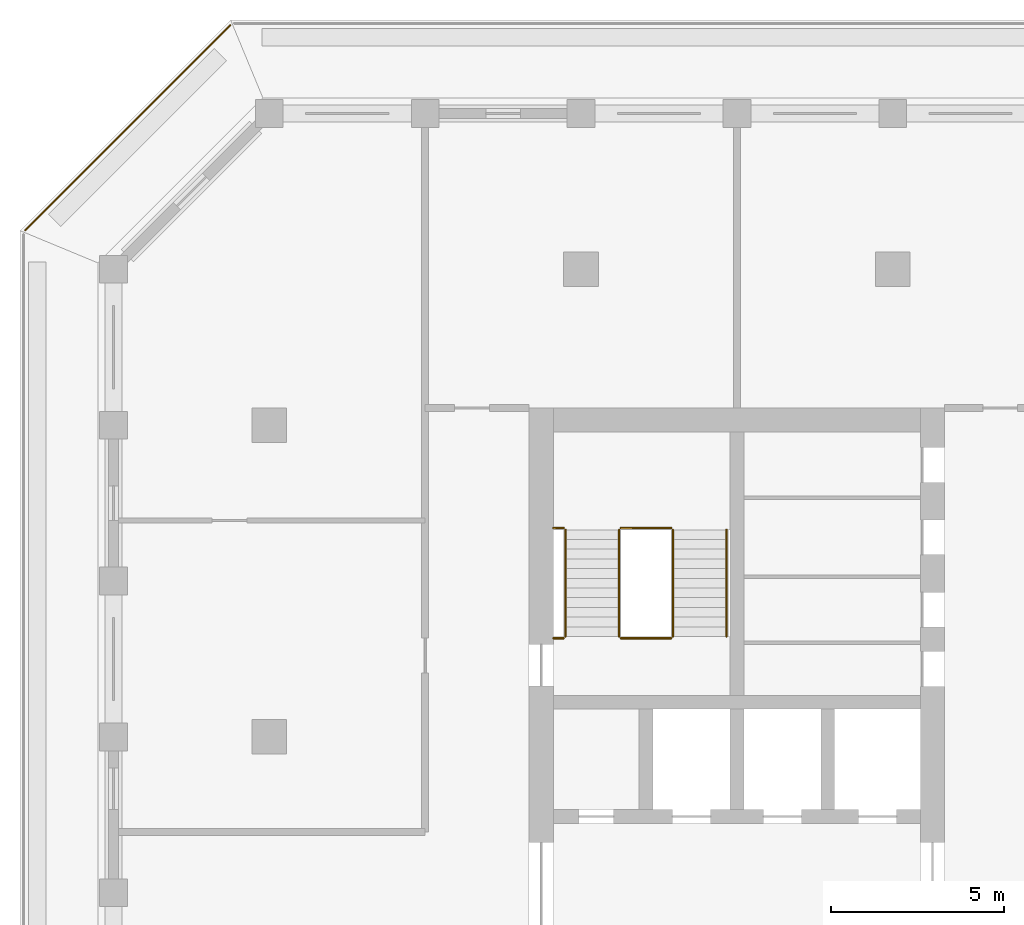
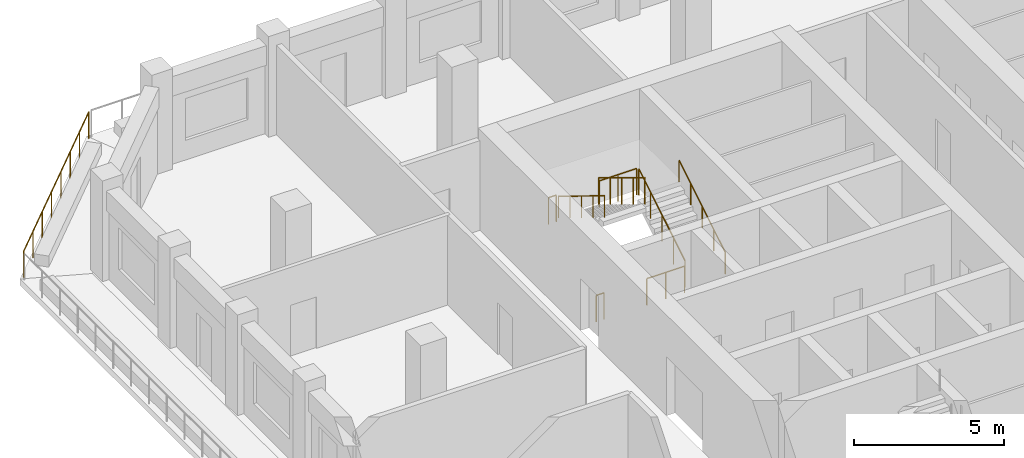
# One storey, part 11 of 14: 9 railings.
"""IFC4 building model written with IfcOpenShell, lengths in metres."""

from ifc_helpers import new_model, si_unit, direction, frame, origin, origin_2d, place, context, subcontext, project, spatial, circle, extrude, material, type_object, element, save


model = new_model("IFC4")

# Units and contexts
model_context = context("Model", 3, precision=1e-05, world=origin(), true_north=direction((0.0, 1.0)))
body_context = subcontext(model_context, "Body", "Model", "MODEL_VIEW")
ifc_project = project(units=[si_unit("LENGTHUNIT", "METRE"), si_unit("AREAUNIT", "SQUARE_METRE"), si_unit("VOLUMEUNIT", "CUBIC_METRE"), si_unit("PLANEANGLEUNIT", "RADIAN"), si_unit("MASSUNIT", "GRAM", prefix="KILO")], contexts=[model_context])

# Site, building, storey
site_placement = place(None, origin())
site = spatial("IfcSite", under=ifc_project, at=site_placement, CompositionType="ELEMENT")
building_placement = place(site_placement, origin())
building = spatial("IfcBuilding", under=site, at=building_placement, Name="Corbel Stack Research Tower", CompositionType="ELEMENT")
storey_placement = place(building_placement, frame((0.0, 0.0, 278.60009765625)))
storey = spatial("IfcBuildingStorey", under=building, at=storey_placement, Name="L63", CompositionType="ELEMENT", Elevation=278.60009765625)

# Railings
ifc_material_1 = material(Name="Steel S355", Category="steel")
railing_type_1 = type_object("IfcRailingType", Name="Stair guard 1100", PredefinedType="GUARDRAIL", material=ifc_material_1)
railing_1_placement = place(storey_placement, frame((-6.35009765625, 11.89990234375, 0.170654296875)))
element("IfcRailing", 1, at=railing_1_placement, inside=storey, type_object=railing_type_1, Name="L63 ST-W2 stair guard 1", PredefinedType="GUARDRAIL", context=body_context, shape_type="SweptSolid", body=[
    extrude(circle(Radius=0.02392578125, at=origin_2d()), frame((0.0, 0.0, 1.076171875), z_axis=(0.0, 0.853666305674, 0.52082035152), x_axis=(-1.0, 0.0, 0.0)), (0.0, 0.0, 1.0), 3.608154296875),
    extrude(circle(Radius=0.02099609375, at=origin_2d()), origin(), (0.0, 0.0, 1.0), 1.052001953125),
    extrude(circle(Radius=0.02099609375, at=origin_2d()), frame((0.0, 0.77001953125, 0.4697265625)), (0.0, 0.0, 1.0), 1.052001953125),
    extrude(circle(Radius=0.02099609375, at=origin_2d()), frame((0.0, 1.5400390625, 0.939453125)), (0.0, 0.0, 1.0), 1.052001953125),
    extrude(circle(Radius=0.02099609375, at=origin_2d()), frame((0.0, 2.31005859375, 1.409423828125)), (0.0, 0.0, 1.0), 1.052001953125),
    extrude(circle(Radius=0.02099609375, at=origin_2d()), frame((0.0, 3.080078125, 1.879150390625)), (0.0, 0.0, 1.0), 1.052001953125),
])
railing_2_placement = place(storey_placement, frame((-6.39990234375, 15.030029296875, 2.0498046875)))
element("IfcRailing", 2, at=railing_2_placement, inside=storey, type_object=railing_type_1, Name="L63 ST-W2 stair guard 2", PredefinedType="GUARDRAIL", context=body_context, shape_type="SweptSolid", body=[
    extrude(circle(Radius=0.02392578125, at=origin_2d()), frame((0.0, 0.0, 1.076171875), z_axis=(-1.0, 0.0, 0.0), x_axis=(0.0, -1.0, 0.0)), (0.0, 0.0, 1.0), 1.4501953125),
    extrude(circle(Radius=0.02099609375, at=origin_2d()), origin(), (0.0, 0.0, 1.0), 1.052001953125),
    extrude(circle(Radius=0.02099609375, at=origin_2d()), frame((-0.72509765625, 0.0, 0.0)), (0.0, 0.0, 1.0), 1.052001953125),
    extrude(circle(Radius=0.02099609375, at=origin_2d()), frame((-1.4501953125, 0.0, 0.0)), (0.0, 0.0, 1.0), 1.052001953125),
])
railing_3_placement = place(storey_placement, frame((-9.5, 15.030029296875, 2.0498046875)))
element("IfcRailing", 3, at=railing_3_placement, inside=storey, type_object=railing_type_1, Name="L63 ST-W2 stair guard 3", PredefinedType="GUARDRAIL", context=body_context, shape_type="SweptSolid", body=[
    extrude(circle(Radius=0.02392578125, at=origin_2d()), frame((0.0, 0.0, 1.076171875), z_axis=(-1.0, 0.0, 0.0), x_axis=(0.0, -1.0, 0.0)), (0.0, 0.0, 1.0), 0.300048828125),
    extrude(circle(Radius=0.02099609375, at=origin_2d()), origin(), (0.0, 0.0, 1.0), 1.052001953125),
    extrude(circle(Radius=0.02099609375, at=origin_2d()), frame((-0.300048828125, 0.0, 0.0)), (0.0, 0.0, 1.0), 1.052001953125),
])
railing_4_placement = place(storey_placement, frame((-7.89990234375, 14.97998046875, 2.220703125)))
element("IfcRailing", 4, at=railing_4_placement, inside=storey, type_object=railing_type_1, Name="L63 ST-W2 stair guard 4", PredefinedType="GUARDRAIL", context=body_context, shape_type="SweptSolid", body=[
    extrude(circle(Radius=0.02392578125, at=origin_2d()), frame((0.0, 0.0, 1.076171875), z_axis=(0.0, -0.853666305674, 0.52082035152), x_axis=(1.0, 0.0, 0.0)), (0.0, 0.0, 1.0), 3.608154296875),
    extrude(circle(Radius=0.02099609375, at=origin_2d()), origin(), (0.0, 0.0, 1.0), 1.052001953125),
    extrude(circle(Radius=0.02099609375, at=origin_2d()), frame((0.0, -0.77001953125, 0.4697265625)), (0.0, 0.0, 1.0), 1.052001953125),
    extrude(circle(Radius=0.02099609375, at=origin_2d()), frame((0.0, -1.5400390625, 0.939453125)), (0.0, 0.0, 1.0), 1.052001953125),
    extrude(circle(Radius=0.02099609375, at=origin_2d()), frame((0.0, -2.31005859375, 1.409423828125)), (0.0, 0.0, 1.0), 1.052001953125),
    extrude(circle(Radius=0.02099609375, at=origin_2d()), frame((0.0, -3.080078125, 1.879150390625)), (0.0, 0.0, 1.0), 1.052001953125),
])
railing_5_placement = place(storey_placement, frame((-6.39990234375, 11.85009765625, 0.0)))
element("IfcRailing", 5, at=railing_5_placement, inside=storey, type_object=railing_type_1, Name="L63 ST-W2 stair guard 5", PredefinedType="GUARDRAIL", context=body_context, shape_type="SweptSolid", body=[
    extrude(circle(Radius=0.02392578125, at=origin_2d()), frame((0.0, 0.0, 1.076171875), z_axis=(-1.0, 0.0, 0.0), x_axis=(0.0, -1.0, 0.0)), (0.0, 0.0, 1.0), 1.4501953125),
    extrude(circle(Radius=0.02099609375, at=origin_2d()), origin(), (0.0, 0.0, 1.0), 1.052001953125),
    extrude(circle(Radius=0.02099609375, at=origin_2d()), frame((-0.72509765625, 0.0, 0.0)), (0.0, 0.0, 1.0), 1.052001953125),
    extrude(circle(Radius=0.02099609375, at=origin_2d()), frame((-1.4501953125, 0.0, 0.0)), (0.0, 0.0, 1.0), 1.052001953125),
])
railing_6_placement = place(storey_placement, frame((-9.5, 11.85009765625, 0.0)))
element("IfcRailing", 6, at=railing_6_placement, inside=storey, type_object=railing_type_1, Name="L63 ST-W2 stair guard 6", PredefinedType="GUARDRAIL", context=body_context, shape_type="SweptSolid", body=[
    extrude(circle(Radius=0.02392578125, at=origin_2d()), frame((0.0, 0.0, 1.076171875), z_axis=(-1.0, 0.0, 0.0), x_axis=(0.0, -1.0, 0.0)), (0.0, 0.0, 1.0), 0.300048828125),
    extrude(circle(Radius=0.02099609375, at=origin_2d()), origin(), (0.0, 0.0, 1.0), 1.052001953125),
    extrude(circle(Radius=0.02099609375, at=origin_2d()), frame((-0.300048828125, 0.0, 0.0)), (0.0, 0.0, 1.0), 1.052001953125),
])
ifc_material_2 = material(Name="Steel S355", Category="steel")
railing_type_2 = type_object("IfcRailingType", Name="Stair handrail 900", PredefinedType="HANDRAIL", material=ifc_material_2)
railing_7_placement = place(storey_placement, frame((-4.800048828125, 11.89990234375, 0.170654296875)))
element("IfcRailing", 7, at=railing_7_placement, inside=storey, type_object=railing_type_2, Name="L63 ST-W2 stair handrail 1", PredefinedType="HANDRAIL", context=body_context, shape_type="SweptSolid", body=[
    extrude(circle(Radius=0.02392578125, at=origin_2d()), frame((0.0, 0.0, 0.8759765625), z_axis=(0.0, 0.853666305674, 0.52082035152), x_axis=(-1.0, 0.0, 0.0)), (0.0, 0.0, 1.0), 3.608154296875),
    extrude(circle(Radius=0.02099609375, at=origin_2d()), origin(), (0.0, 0.0, 1.0), 0.851806640625),
    extrude(circle(Radius=0.02099609375, at=origin_2d()), frame((0.0, 0.77001953125, 0.4697265625)), (0.0, 0.0, 1.0), 0.851806640625),
    extrude(circle(Radius=0.02099609375, at=origin_2d()), frame((0.0, 1.5400390625, 0.939453125)), (0.0, 0.0, 1.0), 0.851806640625),
    extrude(circle(Radius=0.02099609375, at=origin_2d()), frame((0.0, 2.31005859375, 1.409423828125)), (0.0, 0.0, 1.0), 0.851806640625),
    extrude(circle(Radius=0.02099609375, at=origin_2d()), frame((0.0, 3.080078125, 1.879150390625)), (0.0, 0.0, 1.0), 0.851806640625),
])
railing_8_placement = place(storey_placement, frame((-9.449951171875, 14.97998046875, 2.220703125)))
element("IfcRailing", 8, at=railing_8_placement, inside=storey, type_object=railing_type_2, Name="L63 ST-W2 stair handrail 2", PredefinedType="HANDRAIL", context=body_context, shape_type="SweptSolid", body=[
    extrude(circle(Radius=0.02392578125, at=origin_2d()), frame((0.0, 0.0, 0.8759765625), z_axis=(0.0, -0.853666305674, 0.52082035152), x_axis=(1.0, 0.0, 0.0)), (0.0, 0.0, 1.0), 3.608154296875),
    extrude(circle(Radius=0.02099609375, at=origin_2d()), origin(), (0.0, 0.0, 1.0), 0.851806640625),
    extrude(circle(Radius=0.02099609375, at=origin_2d()), frame((0.0, -0.77001953125, 0.4697265625)), (0.0, 0.0, 1.0), 0.851806640625),
    extrude(circle(Radius=0.02099609375, at=origin_2d()), frame((0.0, -1.5400390625, 0.939453125)), (0.0, 0.0, 1.0), 0.851806640625),
    extrude(circle(Radius=0.02099609375, at=origin_2d()), frame((0.0, -2.31005859375, 1.409423828125)), (0.0, 0.0, 1.0), 0.851806640625),
    extrude(circle(Radius=0.02099609375, at=origin_2d()), frame((0.0, -3.080078125, 1.879150390625)), (0.0, 0.0, 1.0), 0.851806640625),
])
ifc_material_3 = material(Name="Powder-coated steel guard", Category="steel")
railing_type_3 = type_object("IfcRailingType", Name="Steel and glass guard 1100", PredefinedType="GUARDRAIL", material=ifc_material_3)
railing_9_placement = place(storey_placement, frame((-19.127685546875, 29.54931640625, 0.0)))
element("IfcRailing", 9, at=railing_9_placement, inside=storey, type_object=railing_type_3, Name="Loggia guard L63 NW", PredefinedType="GUARDRAIL", context=body_context, shape_type="SweptSolid", body=[
    extrude(circle(Radius=0.02392578125, at=origin_2d()), frame((0.0, 0.0, 1.076171875), z_axis=(-0.707106781187, -0.707106781187, 0.0), x_axis=(0.707106781187, -0.707106781187, 0.0)), (0.0, 0.0, 1.0), 8.37451171875),
    extrude(circle(Radius=0.02099609375, at=origin_2d()), origin(), (0.0, 0.0, 1.0), 1.052001953125),
    extrude(circle(Radius=0.02099609375, at=origin_2d()), frame((-0.845947265625, -0.845947265625, 0.0)), (0.0, 0.0, 1.0), 1.052001953125),
    extrude(circle(Radius=0.02099609375, at=origin_2d()), frame((-1.69189453125, -1.69189453125, 0.0)), (0.0, 0.0, 1.0), 1.052001953125),
    extrude(circle(Radius=0.02099609375, at=origin_2d()), frame((-2.537841796875, -2.537841796875, 0.0)), (0.0, 0.0, 1.0), 1.052001953125),
    extrude(circle(Radius=0.02099609375, at=origin_2d()), frame((-3.3837890625, -3.3837890625, 0.0)), (0.0, 0.0, 1.0), 1.052001953125),
    extrude(circle(Radius=0.02099609375, at=origin_2d()), frame((-4.229736328125, -4.229736328125, 0.0)), (0.0, 0.0, 1.0), 1.052001953125),
    extrude(circle(Radius=0.02099609375, at=origin_2d()), frame((-5.07568359375, -5.07568359375, 0.0)), (0.0, 0.0, 1.0), 1.052001953125),
    extrude(circle(Radius=0.02099609375, at=origin_2d()), frame((-5.921630859375, -5.921630859375, 0.0)), (0.0, 0.0, 1.0), 1.052001953125),
])

save(model, "model.ifc")
